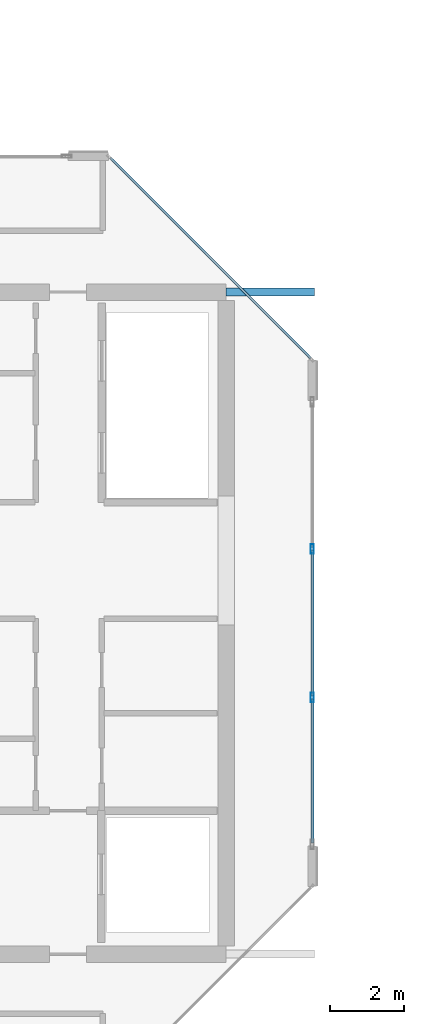
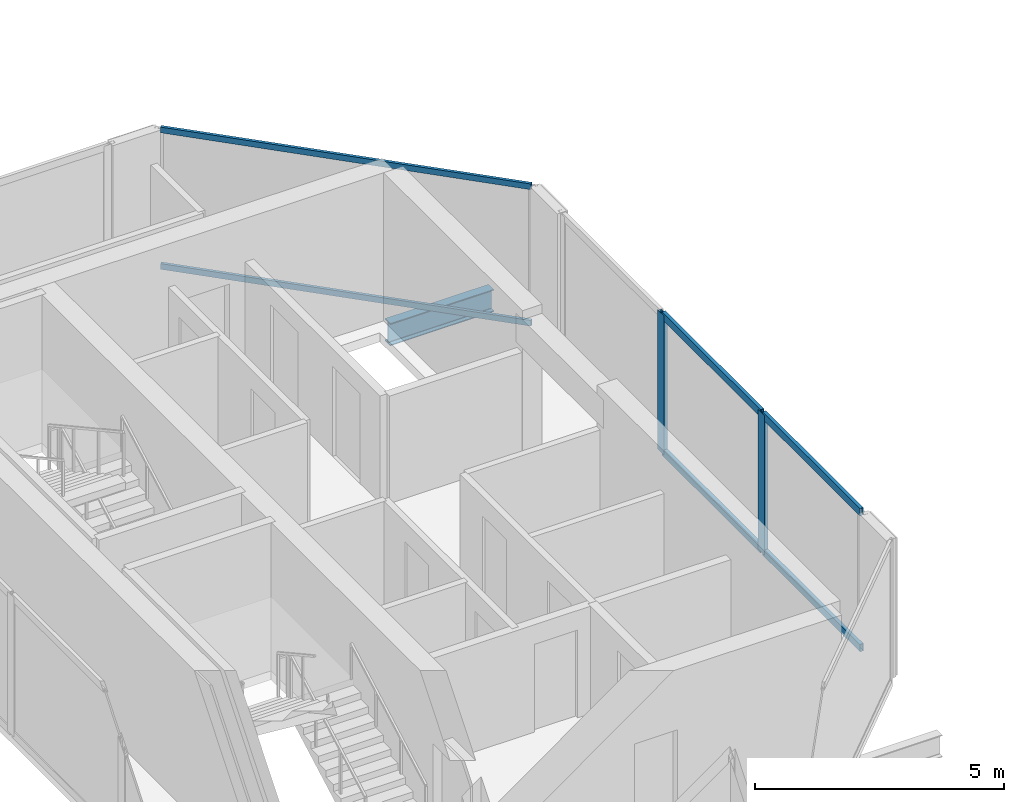
# One storey, part 6 of 28: 8 members, 1 beam, 2 elements without a shape of their own.
"""IFC4 building model written with IfcOpenShell, lengths in metres."""

from ifc_helpers import new_model, si_unit, direction, frame, origin, origin_2d, place, context, subcontext, project, spatial, hollow_rectangle, i_section, extrude, material, layer, layer_set, material_profile, profile_set, type_object, element, aggregate, save


model = new_model("IFC4")

# Units and contexts
model_context = context("Model", 3, precision=1e-05, world=origin(), true_north=direction((0.0, 1.0)))
body_context = subcontext(model_context, "Body", "Model", "MODEL_VIEW")
ifc_project = project(units=[si_unit("LENGTHUNIT", "METRE"), si_unit("AREAUNIT", "SQUARE_METRE"), si_unit("VOLUMEUNIT", "CUBIC_METRE"), si_unit("PLANEANGLEUNIT", "RADIAN"), si_unit("MASSUNIT", "GRAM", prefix="KILO")], contexts=[model_context])

# Site, building, storey
site_placement = place(None, origin())
site = spatial("IfcSite", under=ifc_project, at=site_placement, CompositionType="ELEMENT")
building_placement = place(site_placement, origin())
building = spatial("IfcBuilding", under=site, at=building_placement, Name="Tanjung Sevakor Pilgrim Tower", CompositionType="ELEMENT")
storey_placement = place(building_placement, frame((0.0, 0.0, 246.179931640625)))
storey = spatial("IfcBuildingStorey", under=building, at=storey_placement, Name="L69", CompositionType="ELEMENT", Elevation=246.179931640625)

# Beam
ifc_material_1 = material(Name="Steel S355J2", Category="steel")
ifc_material_profile_1 = material_profile(ifc_material_1, i_section(OverallWidth=0.2119140625, OverallDepth=0.54443359375, WebThickness=0.0126953125, FlangeThickness=0.021240234375, FilletRadius=0.0126953125, at=origin_2d()))
ifc_profile_set_1 = profile_set([ifc_material_profile_1], Name="Steel S355J2")
beam_type = type_object("IfcBeamType", Name="BM-B-G5-UB_533x210x122", PredefinedType="BEAM", material=ifc_profile_set_1)
beam_placement = place(storey_placement, frame((36.0, 42.60009765625, -0.4921875), z_axis=(1.0, 0.0, 0.0), x_axis=(0.0, 1.0, 0.0)))
element("IfcBeam", 1, at=beam_placement, inside=storey, type_object=beam_type, Name="L69 West Peak Cantilever Girder 2", PredefinedType="BEAM", context=body_context, shape_type="SweptSolid", body=[
    extrude(i_section(OverallWidth=0.2119140625, OverallDepth=0.54443359375, WebThickness=0.0126953125, FlangeThickness=0.021240234375, FilletRadius=0.0126953125, at=origin_2d()), origin(), (0.0, 0.0, 1.0), 2.39990234375),
])

# Curtain wall, members
ifc_material_2 = material(Name="Aluminium 6063-T6 and Low-E Glass", Category="aluminium")
ifc_layer_1 = layer(ifc_material_2, 0.199951171875)
ifc_layer_set_1 = layer_set([ifc_layer_1], Name="CW-SYS-CRNW")
curtain_wall_type_1 = type_object("IfcCurtainWallType", Name="CW-SYS-CRNW", PredefinedType="NOTDEFINED", material=ifc_layer_set_1)
curtain_wall_1_placement = place(storey_placement, origin())
curtain_wall_1 = element("IfcCurtainWall", 2, at=curtain_wall_1_placement, inside=storey, type_object=curtain_wall_type_1, Name="L69 Curtain Wall CW-CRN-L69-WEST-2-1", PredefinedType="NOTDEFINED")
ifc_material_3 = material(Name="Aluminium 6063-T6", Category="aluminium")
ifc_material_profile_2 = material_profile(ifc_material_3, hollow_rectangle(XDim=0.080078125, YDim=0.260009765625, WallThickness=0.0048828125, at=origin_2d()))
ifc_profile_set_2 = profile_set([ifc_material_profile_2], Name="Aluminium 6063-T6")
member_type_1 = type_object("IfcMemberType", Name="TYPE-CWM-3", PredefinedType="MULLION", material=ifc_profile_set_2)
member_1_placement = place(storey_placement, frame((38.340087890625, 31.581787109375, 0.0), z_axis=(0.0, 0.0, 1.0), x_axis=(-1.0, 0.0, 0.0)))
member_1 = element("IfcMember", 3, at=member_1_placement, type_object=member_type_1, Name="CW-CRW mullion 2", PredefinedType="MULLION", context=body_context, shape_type="SweptSolid", body=[
    extrude(hollow_rectangle(XDim=0.080078125, YDim=0.260009765625, WallThickness=0.0048828125, at=origin_2d()), origin(), (0.0, 0.0, 1.0), 3.41015625),
])
member_2_placement = place(storey_placement, frame((38.340087890625, 35.6181640625, 0.0), z_axis=(0.0, 0.0, 1.0), x_axis=(-1.0, 0.0, 0.0)))
member_2 = element("IfcMember", 4, at=member_2_placement, type_object=member_type_1, Name="CW-CRW mullion 3", PredefinedType="MULLION", context=body_context, shape_type="SweptSolid", body=[
    extrude(hollow_rectangle(XDim=0.080078125, YDim=0.260009765625, WallThickness=0.0048828125, at=origin_2d()), origin(), (0.0, 0.0, 1.0), 3.41015625),
])

ifc_material_4 = material(Name="Aluminium 6063-T6 and Low-E Glass", Category="aluminium")
ifc_layer_2 = layer(ifc_material_4, 0.179931640625)
ifc_layer_set_2 = layer_set([ifc_layer_2], Name="CW-SYS-CHAM")
curtain_wall_type_2 = type_object("IfcCurtainWallType", Name="CW-SYS-CHAM", PredefinedType="NOTDEFINED", material=ifc_layer_set_2)
curtain_wall_2_placement = place(storey_placement, origin())
curtain_wall_2 = element("IfcCurtainWall", 5, at=curtain_wall_2_placement, inside=storey, type_object=curtain_wall_type_2, Name="L69 Curtain Wall CW-CHM-L69-WEST-3", PredefinedType="NOTDEFINED")
ifc_material_5 = material(Name="Aluminium 6063-T6", Category="aluminium")
ifc_material_profile_3 = material_profile(ifc_material_5, hollow_rectangle(XDim=0.06494140625, YDim=0.139892578125, WallThickness=0.00390625, at=origin_2d()))
ifc_profile_set_3 = profile_set([ifc_material_profile_3], Name="Aluminium 6063-T6")
member_type_2 = type_object("IfcMemberType", Name="TYPE-CWT-1", PredefinedType="USERDEFINED", material=ifc_profile_set_3)
member_3_placement = place(storey_placement, frame((38.2939453125, 40.80029296875, 0.032470703125), z_axis=(-0.707090924819, 0.707122637198, 0.0), x_axis=(-0.707122637198, -0.707090924819, 0.0)))
member_3 = element("IfcMember", 6, at=member_3_placement, type_object=member_type_2, Name="CW-CHM transom 1.1", ObjectType="TRANSOM", PredefinedType="USERDEFINED", context=body_context, shape_type="SweptSolid", body=[
    extrude(hollow_rectangle(XDim=0.06494140625, YDim=0.139892578125, WallThickness=0.00390625, at=origin_2d()), origin(), (0.0, 0.0, 1.0), 7.698486328125),
])
member_4_placement = place(storey_placement, frame((38.2939453125, 40.80029296875, 3.377685546875), z_axis=(-0.707090924819, 0.707122637198, 0.0), x_axis=(-0.707122637198, -0.707090924819, 0.0)))
member_4 = element("IfcMember", 7, at=member_4_placement, type_object=member_type_2, Name="CW-CHM transom 1.2", ObjectType="TRANSOM", PredefinedType="USERDEFINED", context=body_context, shape_type="SweptSolid", body=[
    extrude(hollow_rectangle(XDim=0.06494140625, YDim=0.139892578125, WallThickness=0.00390625, at=origin_2d()), origin(), (0.0, 0.0, 1.0), 7.698486328125),
])
aggregate(curtain_wall_2, [member_3, member_4])

# Member
ifc_material_6 = material(Name="Aluminium 6063-T6", Category="aluminium")
ifc_material_profile_4 = material_profile(ifc_material_6, hollow_rectangle(XDim=0.080078125, YDim=0.179931640625, WallThickness=0.0048828125, at=origin_2d()))
ifc_profile_set_4 = profile_set([ifc_material_profile_4], Name="Aluminium 6063-T6")
member_type_3 = type_object("IfcMemberType", Name="TYPE-CWT-3", PredefinedType="USERDEFINED", material=ifc_profile_set_4)
member_5_placement = place(storey_placement, frame((38.340087890625, 27.62548828125, 0.0400390625), z_axis=(0.0, 1.0, 0.0), x_axis=(-1.0, 0.0, 0.0)))
member_5 = element("IfcMember", 8, at=member_5_placement, type_object=member_type_3, Name="CW-CRW transom 1.1", ObjectType="TRANSOM", PredefinedType="USERDEFINED", context=body_context, shape_type="SweptSolid", body=[
    extrude(hollow_rectangle(XDim=0.080078125, YDim=0.179931640625, WallThickness=0.0048828125, at=origin_2d()), origin(), (0.0, 0.0, 1.0), 3.916259765625),
])

member_6_placement = place(storey_placement, frame((38.340087890625, 27.62548828125, 3.3701171875), z_axis=(0.0, 1.0, 0.0), x_axis=(-1.0, 0.0, 0.0)))
member_6 = element("IfcMember", 9, at=member_6_placement, type_object=member_type_3, Name="CW-CRW transom 1.2", ObjectType="TRANSOM", PredefinedType="USERDEFINED", context=body_context, shape_type="SweptSolid", body=[
    extrude(hollow_rectangle(XDim=0.080078125, YDim=0.179931640625, WallThickness=0.0048828125, at=origin_2d()), origin(), (0.0, 0.0, 1.0), 3.916259765625),
])

member_7_placement = place(storey_placement, frame((38.340087890625, 31.621826171875, 0.0400390625), z_axis=(0.0, 1.0, 0.0), x_axis=(-1.0, 0.0, 0.0)))
member_7 = element("IfcMember", 10, at=member_7_placement, type_object=member_type_3, Name="CW-CRW transom 2.1", ObjectType="TRANSOM", PredefinedType="USERDEFINED", context=body_context, shape_type="SweptSolid", body=[
    extrude(hollow_rectangle(XDim=0.080078125, YDim=0.179931640625, WallThickness=0.0048828125, at=origin_2d()), origin(), (0.0, 0.0, 1.0), 3.956298828125),
])

member_8_placement = place(storey_placement, frame((38.340087890625, 31.621826171875, 3.3701171875), z_axis=(0.0, 1.0, 0.0), x_axis=(-1.0, 0.0, 0.0)))
member_8 = element("IfcMember", 11, at=member_8_placement, type_object=member_type_3, Name="CW-CRW transom 2.2", ObjectType="TRANSOM", PredefinedType="USERDEFINED", context=body_context, shape_type="SweptSolid", body=[
    extrude(hollow_rectangle(XDim=0.080078125, YDim=0.179931640625, WallThickness=0.0048828125, at=origin_2d()), origin(), (0.0, 0.0, 1.0), 3.956298828125),
])

aggregate(curtain_wall_1, [member_1, member_2, member_5, member_6, member_7, member_8])

save(model, "model.ifc")
